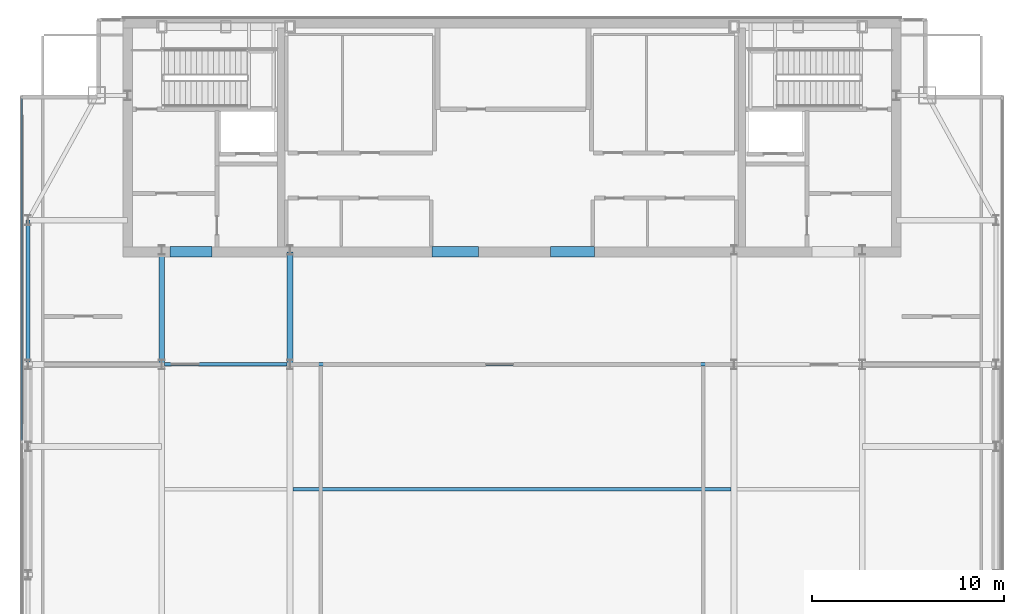
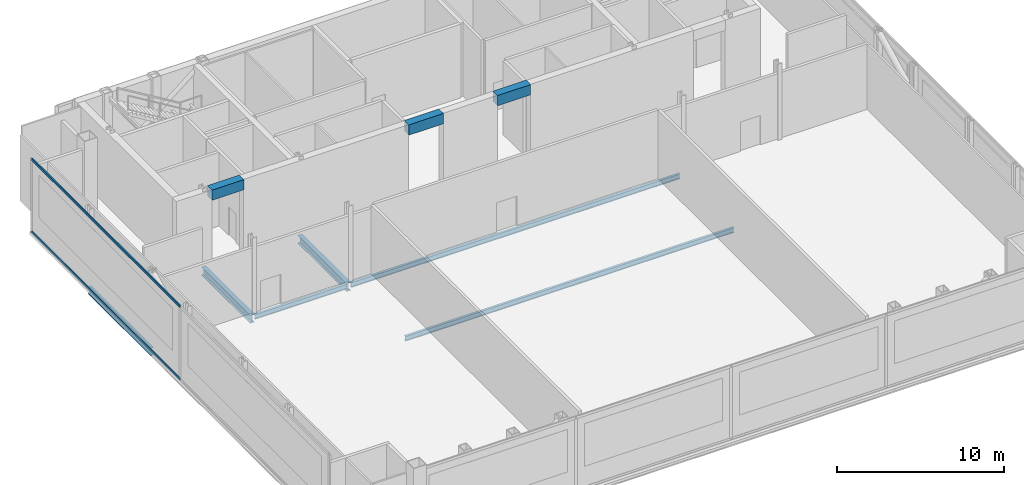
# One storey, part 9 of 22: 9 beams, 2 members, 1 element without a shape of its own.
"""IFC4 building model written with IfcOpenShell, lengths in metres."""

from ifc_helpers import new_model, si_unit, direction, frame, origin, origin_2d, place, context, subcontext, project, spatial, rectangle, hollow_rectangle, i_section, extrude, material, material_profile, profile_set, type_object, element, aggregate, save


model = new_model("IFC4")

# Units and contexts
model_context = context("Model", 3, precision=1e-05, world=origin(), true_north=direction((0.0, 1.0)))
body_context = subcontext(model_context, "Body", "Model", "MODEL_VIEW")
ifc_project = project(units=[si_unit("LENGTHUNIT", "METRE"), si_unit("AREAUNIT", "SQUARE_METRE"), si_unit("VOLUMEUNIT", "CUBIC_METRE"), si_unit("PLANEANGLEUNIT", "RADIAN"), si_unit("MASSUNIT", "GRAM", prefix="KILO")], contexts=[model_context])

# Site, building, storey
site_placement = place(None, origin())
site = spatial("IfcSite", under=ifc_project, at=site_placement, CompositionType="ELEMENT")
building_placement = place(site_placement, origin())
building = spatial("IfcBuilding", under=site, at=building_placement, Name="Khoronbel Lancet Exchange", CompositionType="ELEMENT")
storey_placement = place(building_placement, frame((0.0, 0.0, 361.800048828125)))
storey = spatial("IfcBuildingStorey", under=building, at=storey_placement, Name="L93", CompositionType="ELEMENT", Elevation=361.800048828125)

# Beams
ifc_material_1 = material(Name="Steel S355", Category="steel")
ifc_material_profile_1 = material_profile(ifc_material_1, i_section(OverallWidth=0.300048828125, OverallDepth=0.60009765625, WebThickness=0.015380859375, FlangeThickness=0.030029296875, at=origin_2d()), Name="HEB 600")
ifc_profile_set_1 = profile_set([ifc_material_profile_1], Name="Steel S355")
beam_type_1 = type_object("IfcBeamType", Name="BM-BG5", PredefinedType="BEAM", material=ifc_profile_set_1)
for number, where, z_axis, x_axis, name in (
    (1, (18.22509765625, 35.699951171875, -0.5), (0.0, 1.0, 0.0), (-1.0, 0.0, 0.0), "Level L93 spine tie girder GN1"),
    (2, (24.89990234375, 35.699951171875, -0.5), (0.0, 1.0, 0.0), (-1.0, 0.0, 0.0), "Level L93 spine tie girder GN2"),
):
    element("IfcBeam", number, at=place(storey_placement, frame(where, z_axis=z_axis, x_axis=x_axis)), inside=storey, type_object=beam_type_1, Name=name, PredefinedType="BEAM", context=body_context, shape_type="SweptSolid", body=[
        extrude(i_section(OverallWidth=0.300048828125, OverallDepth=0.60009765625, WebThickness=0.015380859375, FlangeThickness=0.030029296875, at=origin_2d()), origin(), (0.0, 0.0, 1.0), 5.85009765625),
    ])
ifc_material_profile_2 = material_profile(ifc_material_1, i_section(OverallWidth=0.169921875, OverallDepth=0.360107421875, WebThickness=0.008056640625, FlangeThickness=0.0126953125, at=origin_2d()), Name="IPE 360")
ifc_profile_set_2 = profile_set([ifc_material_profile_2], Name="Steel S355")
beam_type_2 = type_object("IfcBeamType", Name="BM-BJ6", PredefinedType="JOIST", material=ifc_profile_set_2)
beam_1_placement = place(storey_placement, frame((25.050048828125, 29.199951171875, -0.380126953125), z_axis=(1.0, 0.0, 0.0), x_axis=(0.0, 1.0, 0.0)))
element("IfcBeam", 3, at=beam_1_placement, inside=storey, type_object=beam_type_2, Name="Level L93 secondary composite joist J08", PredefinedType="JOIST", context=body_context, shape_type="SweptSolid", body=[
    extrude(i_section(OverallWidth=0.169921875, OverallDepth=0.360107421875, WebThickness=0.008056640625, FlangeThickness=0.0126953125, at=origin_2d()), origin(), (0.0, 0.0, 1.0), 22.800048828125),
])
beam_2_placement = place(storey_placement, frame((18.375, 35.699951171875, -0.380126953125), z_axis=(1.0, 0.0, 0.0), x_axis=(0.0, 1.0, 0.0)))
element("IfcBeam", 4, at=beam_2_placement, inside=storey, type_object=beam_type_2, Name="Level L93 secondary composite joist J10", PredefinedType="JOIST", context=body_context, shape_type="SweptSolid", body=[
    extrude(i_section(OverallWidth=0.169921875, OverallDepth=0.360107421875, WebThickness=0.008056640625, FlangeThickness=0.0126953125, at=origin_2d()), origin(), (0.0, 0.0, 1.0), 6.375),
])
beam_3_placement = place(storey_placement, frame((25.050048828125, 35.699951171875, -0.380126953125), z_axis=(1.0, 0.0, 0.0), x_axis=(0.0, 1.0, 0.0)))
element("IfcBeam", 5, at=beam_3_placement, inside=storey, type_object=beam_type_2, Name="Level L93 secondary composite joist J11", PredefinedType="JOIST", context=body_context, shape_type="SweptSolid", body=[
    extrude(i_section(OverallWidth=0.169921875, OverallDepth=0.360107421875, WebThickness=0.008056640625, FlangeThickness=0.0126953125, at=origin_2d()), origin(), (0.0, 0.0, 1.0), 22.800048828125),
])
ifc_material_2 = material(Name="Concrete C60/75", Category="concrete")
ifc_material_profile_3 = material_profile(ifc_material_2, rectangle(XDim=0.550048828125, YDim=0.75, at=origin_2d()), Name="RC 550x750")
ifc_profile_set_3 = profile_set([ifc_material_profile_3], Name="Concrete C60/75")
beam_type_3 = type_object("IfcBeamType", Name="BM-BL2", PredefinedType="LINTEL", material=ifc_profile_set_3)
beam_4_placement = place(storey_placement, frame((18.64990234375, 41.550048828125, 5.02490234375), z_axis=(1.0, 0.0, 0.0), x_axis=(0.0, 1.0, 0.0)))
element("IfcBeam", 6, at=beam_4_placement, inside=storey, type_object=beam_type_3, Name="Level L93 rear core coupling lintel L1", PredefinedType="LINTEL", context=body_context, shape_type="SweptSolid", body=[
    extrude(rectangle(XDim=0.550048828125, YDim=0.75, at=origin_2d()), origin(), (0.0, 0.0, 1.0), 2.2001953125),
])
beam_5_placement = place(storey_placement, frame((32.300048828125, 41.550048828125, 5.02490234375), z_axis=(1.0, 0.0, 0.0), x_axis=(0.0, 1.0, 0.0)))
element("IfcBeam", 7, at=beam_5_placement, inside=storey, type_object=beam_type_3, Name="Level L93 rear core coupling lintel L2", PredefinedType="LINTEL", context=body_context, shape_type="SweptSolid", body=[
    extrude(rectangle(XDim=0.550048828125, YDim=0.75, at=origin_2d()), origin(), (0.0, 0.0, 1.0), 2.39990234375),
])
beam_6_placement = place(storey_placement, frame((38.449951171875, 41.550048828125, 5.02490234375), z_axis=(1.0, 0.0, 0.0), x_axis=(0.0, 1.0, 0.0)))
element("IfcBeam", 8, at=beam_6_placement, inside=storey, type_object=beam_type_3, Name="Level L93 rear core coupling lintel L3", PredefinedType="LINTEL", context=body_context, shape_type="SweptSolid", body=[
    extrude(rectangle(XDim=0.550048828125, YDim=0.75, at=origin_2d()), origin(), (0.0, 0.0, 1.0), 2.300048828125),
])
ifc_material_profile_4 = material_profile(ifc_material_1, i_section(OverallWidth=0.2099609375, OverallDepth=0.550048828125, WebThickness=0.010986328125, FlangeThickness=0.01708984375, at=origin_2d()), Name="IPE 550")
ifc_profile_set_4 = profile_set([ifc_material_profile_4], Name="Steel S355")
beam_type_4 = type_object("IfcBeamType", Name="BM-BSP3", PredefinedType="SPANDREL", material=ifc_profile_set_4)
beam_7_placement = place(storey_placement, frame((11.27001953125, 43.199951171875, -0.47509765625), z_axis=(0.0, -1.0, 0.0), x_axis=(1.0, 0.0, 0.0)))
element("IfcBeam", 9, at=beam_7_placement, inside=storey, type_object=beam_type_4, Name="Level L93 perimeter spandrel beam SP15", PredefinedType="SPANDREL", context=body_context, shape_type="SweptSolid", body=[
    extrude(i_section(OverallWidth=0.2099609375, OverallDepth=0.550048828125, WebThickness=0.010986328125, FlangeThickness=0.01708984375, at=origin_2d()), origin(), (0.0, 0.0, 1.0), 7.5),
])

# Curtain wall, members
ifc_material_3 = material(Name="Low-E Solar Control Insulating Glass", Category="glass")
curtain_wall_type = type_object("IfcCurtainWallType", Name="CW-6", PredefinedType="NOTDEFINED", material=ifc_material_3)
curtain_wall_placement = place(storey_placement, origin())
curtain_wall = element("IfcCurtainWall", 10, at=curtain_wall_placement, inside=storey, type_object=curtain_wall_type, Name="Unitised curtain wall CW-L93-E03", PredefinedType="NOTDEFINED")
ifc_material_4 = material(Name="Bronze-Anodised Aluminium 6063-T6", Category="aluminium")
ifc_material_profile_5 = material_profile(ifc_material_4, hollow_rectangle(XDim=0.0849609375, YDim=0.179931640625, WallThickness=0.0048828125, at=origin_2d()), Name="ALU TRANSOM 85x180")
ifc_profile_set_5 = profile_set([ifc_material_profile_5], Name="Bronze-Anodised Aluminium 6063-T6")
member_type = type_object("IfcMemberType", Name="MEM-CWT1", PredefinedType="USERDEFINED", material=ifc_profile_set_5)
member_1_placement = place(storey_placement, frame((10.93994140625, 31.737548828125, 0.04248046875), z_axis=(0.0, 1.0, 0.0), x_axis=(-1.0, 0.0, 0.0)))
member_1 = element("IfcMember", 11, at=member_1_placement, type_object=member_type, Name="CW6 transom 2.1", ObjectType="TRANSOM", PredefinedType="USERDEFINED", context=body_context, shape_type="SweptSolid", body=[
    extrude(hollow_rectangle(XDim=0.0849609375, YDim=0.179931640625, WallThickness=0.0048828125, at=origin_2d()), origin(), (0.0, 0.0, 1.0), 17.79736328125),
])
member_2_placement = place(storey_placement, frame((10.93994140625, 31.737548828125, 5.357421875), z_axis=(0.0, 1.0, 0.0), x_axis=(-1.0, 0.0, 0.0)))
member_2 = element("IfcMember", 12, at=member_2_placement, type_object=member_type, Name="CW6 transom 2.2", ObjectType="TRANSOM", PredefinedType="USERDEFINED", context=body_context, shape_type="SweptSolid", body=[
    extrude(hollow_rectangle(XDim=0.0849609375, YDim=0.179931640625, WallThickness=0.0048828125, at=origin_2d()), origin(), (0.0, 0.0, 1.0), 17.79736328125),
])
aggregate(curtain_wall, [member_1, member_2])

save(model, "model.ifc")
